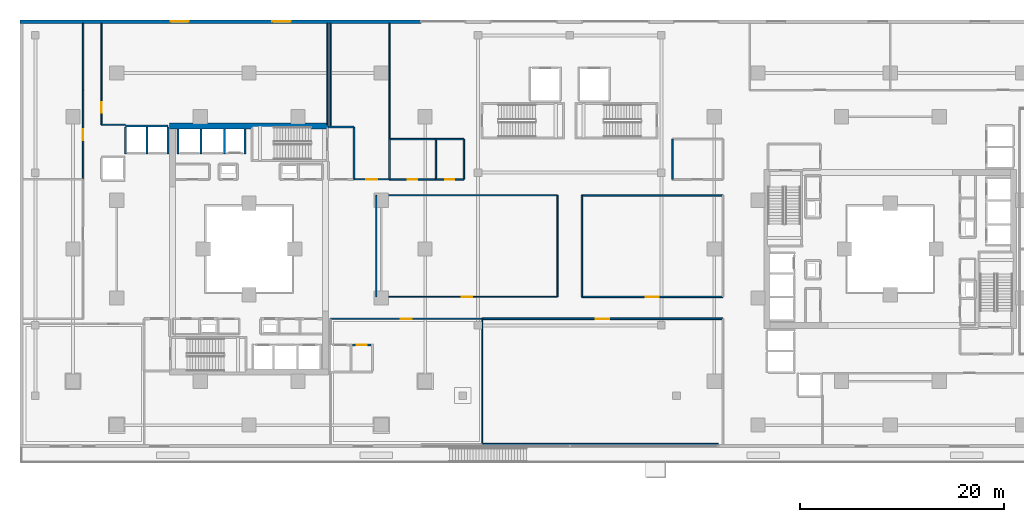
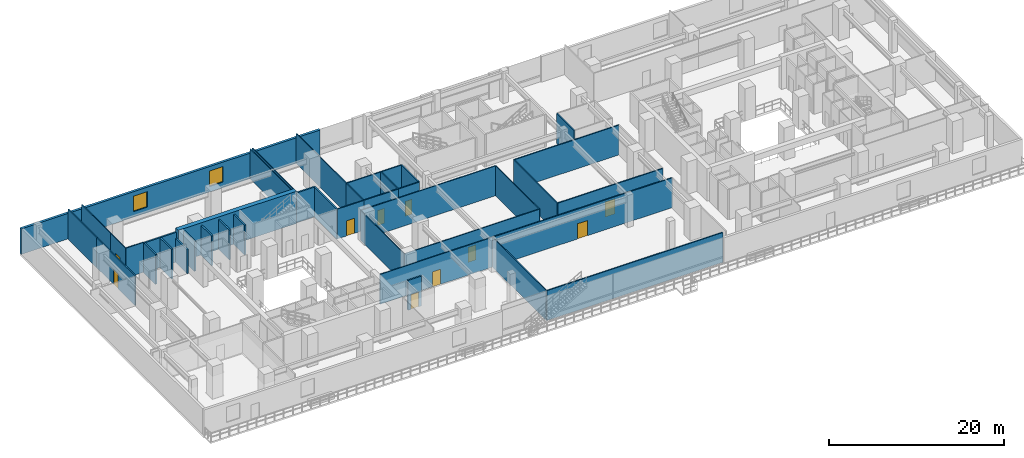
# One storey, part 15 of 25: 41 walls, 10 doors, 2 windows, 12 openings.
"""IFC4 building model written with IfcOpenShell, lengths in metres."""

from ifc_helpers import new_model, si_unit, direction, frame, frame_2d, origin, place, context, subcontext, project, spatial, rectangle, extrude, material, layer, layer_set, type_object, element, fill, save


model = new_model("IFC4")

# Units and contexts
model_context = context("Model", 3, precision=1e-05, world=origin(), true_north=direction((0.0, 1.0)))
body_context = subcontext(model_context, "Body", "Model", "MODEL_VIEW")
ifc_project = project(units=[si_unit("LENGTHUNIT", "METRE"), si_unit("AREAUNIT", "SQUARE_METRE"), si_unit("VOLUMEUNIT", "CUBIC_METRE"), si_unit("PLANEANGLEUNIT", "RADIAN"), si_unit("MASSUNIT", "GRAM", prefix="KILO")], contexts=[model_context])

# Site, building, storey
site_placement = place(None, origin())
site = spatial("IfcSite", under=ifc_project, at=site_placement, CompositionType="ELEMENT")
building_placement = place(site_placement, origin())
building = spatial("IfcBuilding", under=site, at=building_placement, Name="Thornwick Lancets Civic Towers", CompositionType="ELEMENT")
storey_placement = place(building_placement, frame((0.0, 0.0, 9.60009765625)))
storey = spatial("IfcBuildingStorey", under=building, at=storey_placement, Name="L02", CompositionType="ELEMENT", Elevation=9.60009765625)

# Wall, opening, door
ifc_material_1 = material(Name="Concrete blockwork C40/50", Category="masonry")
ifc_layer_1 = layer(ifc_material_1, 0.199951171875, Name="Concrete blockwork C40/50")
ifc_layer_set_1 = layer_set([ifc_layer_1], Name="Concrete blockwork C40/50")
wall_type_1 = type_object("IfcWallType", Name="WALL_COMP_200", PredefinedType="STANDARD", material=ifc_layer_set_1)
wall_1_placement = place(storey_placement, frame((35.679931640625, 17.550048828125, 0.0), z_axis=(0.0, 0.0, 1.0), x_axis=(1.0, 0.0, 0.0)))
wall_1 = element("IfcWall", 1, at=wall_1_placement, inside=storey, type_object=wall_type_1, Name="L02 Hoistway Front Wall PL-AL3", PredefinedType="STANDARD", context=body_context, shape_type="SweptSolid", body=[
    extrude(rectangle(XDim=1.7900390625, YDim=0.199951171875, at=frame_2d((0.89501953125, 0.0))), origin(), (0.0, 0.0, 1.0), 4.159912109375),
])
opening_1_placement = place(wall_1_placement, frame((0.385009765625, 0.0, 0.0)))
opening_1 = element("IfcOpeningElement", 2, at=opening_1_placement, cuts=wall_1, Name="Opening LD-PL-AL3", PredefinedType="OPENING", context=body_context, shape_type="SweptSolid", body=[
    extrude(rectangle(XDim=1.02001953125, YDim=2.06005859375, at=frame_2d((0.510009765625, 1.030029296875))), frame((0.0, 0.10986328125, 0.0), z_axis=(0.0, -1.0, 0.0), x_axis=(1.0, 0.0, 0.0)), (0.0, 0.0, 1.0), 0.219970703125),
])
ifc_material_2 = material(Name="Brushed bronze stainless steel", Category="steel")
door_type_1 = type_object("IfcDoorType", Name="DOOR_LIFT_SLIDE", OperationType="SLIDING_TO_LEFT", PredefinedType="DOOR", material=ifc_material_2)
door_1_placement = place(opening_1_placement, origin())
door_1 = element("IfcDoor", 3, at=door_1_placement, inside=storey, type_object=door_type_1, Name="L02 Sliding Lift Landing Door LD-PL-AL3", OperationType="SLIDING_TO_LEFT", OverallHeight=2.06005859375, OverallWidth=1.02001953125, PredefinedType="DOOR", context=body_context, shape_type="SweptSolid", body=[
    extrude(rectangle(XDim=1.02001953125, YDim=2.06005859375, at=frame_2d((0.510009765625, 1.030029296875))), frame((0.0, 0.02490234375, 0.0), z_axis=(0.0, -1.0, 0.0), x_axis=(1.0, 0.0, 0.0)), (0.0, 0.0, 1.0), 0.050048828125),
])
fill(opening_1, door_1)

# Walls
for number, where, z_axis, x_axis, name in (
    (4, (25.10009765625, 36.35205078125, 0.0), (0.0, 0.0, 1.0), (0.0, 1.0, 0.0), "L02 Hoistway Shaft Wall FL-A2 E"),
    (5, (23.10009765625, 36.35205078125, 0.0), (0.0, 0.0, 1.0), (0.0, 1.0, 0.0), "L02 Hoistway Shaft Wall FL-A2 W"),
    (6, (20.77490234375, 36.35205078125, 0.0), (0.0, 0.0, 1.0), (0.0, 1.0, 0.0), "L02 Hoistway Shaft Wall PL-AH2 W"),
    (7, (18.5, 36.35205078125, 0.0), (0.0, 0.0, 1.0), (0.0, 1.0, 0.0), "L02 Hoistway Shaft Wall PL-AH3 W"),
):
    element("IfcWall", number, at=place(storey_placement, frame(where, z_axis=z_axis, x_axis=x_axis)), inside=storey, type_object=wall_type_1, Name=name, PredefinedType="STANDARD", context=body_context, shape_type="SweptSolid", body=[
        extrude(rectangle(XDim=2.43603515625, YDim=0.199951171875, at=frame_2d((1.218017578125, 0.0))), origin(), (0.0, 0.0, 1.0), 4.159912109375),
    ])
wall_2_placement = place(storey_placement, frame((13.35205078125, 39.10009765625, 0.0), z_axis=(0.0, 0.0, 1.0), x_axis=(1.0, 0.0, 0.0)))
element("IfcWall", 8, at=wall_2_placement, inside=storey, type_object=wall_type_1, Name="L02 Hoistway Shaft Wall PL-AM1 N", PredefinedType="STANDARD", context=body_context, shape_type="SweptSolid", body=[
    extrude(rectangle(XDim=4.196044921875, YDim=0.199951171875, at=frame_2d((2.09814453125, 0.0))), origin(), (0.0, 0.0, 1.0), 4.159912109375),
])
wall_3_placement = place(storey_placement, frame((17.550048828125, 36.35205078125, 0.0), z_axis=(0.0, 0.0, 1.0), x_axis=(0.0, 1.0, 0.0)))
element("IfcWall", 9, at=wall_3_placement, inside=storey, type_object=wall_type_1, Name="L02 Hoistway Shaft Wall PL-AM1 E", PredefinedType="STANDARD", context=body_context, shape_type="SweptSolid", body=[
    extrude(rectangle(XDim=2.635986328125, YDim=0.199951171875, at=frame_2d((1.31787109375, 0.0))), origin(), (0.0, 0.0, 1.0), 3.364990234375),
])
for number, where, z_axis, x_axis, name in (
    (10, (15.47509765625, 36.35205078125, 0.0), (0.0, 0.0, 1.0), (0.0, 1.0, 0.0), "L02 Hoistway Shaft Wall PL-AM1 W"),
    (11, (13.35009765625, 36.35205078125, 0.0), (0.0, 0.0, 1.0), (0.0, 1.0, 0.0), "L02 Hoistway Shaft Wall PL-AM2 W"),
):
    element("IfcWall", number, at=place(storey_placement, frame(where, z_axis=z_axis, x_axis=x_axis)), inside=storey, type_object=wall_type_1, Name=name, PredefinedType="STANDARD", context=body_context, shape_type="SweptSolid", body=[
        extrude(rectangle(XDim=2.635986328125, YDim=0.199951171875, at=frame_2d((1.31787109375, 0.0))), origin(), (0.0, 0.0, 1.0), 4.159912109375),
    ])
wall_4_placement = place(storey_placement, frame((35.800048828125, 33.85009765625, 0.0), z_axis=(0.0, 0.0, 1.0), x_axis=(0.0, 1.0, 0.0)))
element("IfcWall", 12, at=wall_4_placement, inside=storey, type_object=wall_type_1, Name="L02 Partition L02-A-FFLOB2 E2", PredefinedType="STANDARD", context=body_context, shape_type="SweptSolid", body=[
    extrude(rectangle(XDim=5.14990234375, YDim=0.199951171875, at=frame_2d((2.574951171875, 0.0))), origin(), (0.0, 0.0, 1.0), 4.159912109375),
])
wall_5_placement = place(storey_placement, frame((35.800048828125, 39.0, 0.0), z_axis=(0.0, 0.0, 1.0), x_axis=(-1.0, 0.0, 0.0)))
element("IfcWall", 13, at=wall_5_placement, inside=storey, type_object=wall_type_1, Name="L02 Partition L02-A-FFLOB2 E3", PredefinedType="STANDARD", context=body_context, shape_type="SweptSolid", body=[
    extrude(rectangle(XDim=2.5, YDim=0.199951171875, at=frame_2d((1.25, 0.0))), origin(), (0.0, 0.0, 1.0), 4.159912109375),
])
ifc_material_3 = material(Name="Concrete C60/75", Category="concrete")
ifc_layer_2 = layer(ifc_material_3, 0.60009765625, Name="Concrete C60/75")
ifc_layer_set_2 = layer_set([ifc_layer_2], Name="Concrete C60/75")
wall_type_2 = type_object("IfcWallType", Name="WALL_CORE_600", PredefinedType="SHEAR", material=ifc_layer_set_2)
wall_6_placement = place(storey_placement, frame((17.699951171875, 39.10009765625, 0.0), z_axis=(0.0, 0.0, 1.0), x_axis=(1.0, 0.0, 0.0)))
element("IfcWall", 14, at=wall_6_placement, inside=storey, type_object=wall_type_2, Name="L02 Split Core A2 Shear Wall N", PredefinedType="SHEAR", context=body_context, shape_type="SweptSolid", body=[
    extrude(rectangle(XDim=15.60009765625, YDim=0.60009765625, at=frame_2d((7.800048828125, 0.0))), origin(), (0.0, 0.0, 1.0), 4.5),
])

# Wall, openings, windows
ifc_material_4 = material(Name="Insulated buff terracotta rainscreen on concrete C40/50", Category="masonry")
ifc_layer_3 = layer(ifc_material_4, 0.320068359375, Name="Insulated buff terracotta rainscreen on concrete C40/50")
ifc_layer_set_3 = layer_set([ifc_layer_3], Name="Insulated buff terracotta rainscreen on concrete C40/50")
wall_type_3 = type_object("IfcWallType", Name="WALL_EXT_TERRA_320", PredefinedType="STANDARD", material=ifc_layer_set_3)
wall_7_placement = place(storey_placement, frame((42.39990234375, 49.340087890625, 0.0), z_axis=(0.0, 0.0, 1.0), x_axis=(-1.0, 0.0, 0.0)))
wall_7 = element("IfcWall", 15, at=wall_7_placement, inside=storey, type_object=wall_type_3, Name="L02 Podium North-West Facade Wall", PredefinedType="STANDARD", context=body_context, shape_type="SweptSolid", body=[
    extrude(rectangle(XDim=39.39990234375, YDim=0.320068359375, at=frame_2d((19.699951171875, 0.0))), origin(), (0.0, 0.0, 1.0), 3.559814453125),
])
opening_2_placement = place(wall_7_placement, frame((12.800048828125, 0.0, 0.780029296875)))
opening_2 = element("IfcOpeningElement", 16, at=opening_2_placement, cuts=wall_7, Name="Opening WP-18", PredefinedType="OPENING", context=body_context, shape_type="SweptSolid", body=[
    extrude(rectangle(XDim=1.800048828125, YDim=2.14990234375, at=frame_2d((0.89990234375, 1.074951171875))), frame((0.0, 0.169921875, 0.0), z_axis=(0.0, -1.0, 0.0), x_axis=(1.0, 0.0, 0.0)), (0.0, 0.0, 1.0), 0.340087890625),
])
opening_3_placement = place(wall_7_placement, frame((22.800048828125, 0.0, 0.780029296875)))
opening_3 = element("IfcOpeningElement", 17, at=opening_3_placement, cuts=wall_7, Name="Opening WP-18", PredefinedType="OPENING", context=body_context, shape_type="SweptSolid", body=[
    extrude(rectangle(XDim=1.800048828125, YDim=2.14990234375, at=frame_2d((0.89990234375, 1.074951171875))), frame((0.0, 0.169921875, 0.0), z_axis=(0.0, -1.0, 0.0), x_axis=(1.0, 0.0, 0.0)), (0.0, 0.0, 1.0), 0.340087890625),
])
ifc_material_5 = material(Name="Pointed lancet clear glass window", Category="glass")
window_type = type_object("IfcWindowType", Name="WIN_PODIUM_1800", PartitioningType="SINGLE_PANEL", PredefinedType="WINDOW", material=ifc_material_5)
window_1_placement = place(opening_2_placement, origin())
window_1 = element("IfcWindow", 18, at=window_1_placement, inside=storey, type_object=window_type, Name="L02 Podium Lancet Window 2", OverallHeight=2.14990234375, OverallWidth=1.800048828125, PartitioningType="SINGLE_PANEL", PredefinedType="WINDOW", context=body_context, shape_type="SweptSolid", body=[
    extrude(rectangle(XDim=1.800048828125, YDim=2.14990234375, at=frame_2d((0.89990234375, 1.074951171875))), frame((0.0, 0.030029296875, 0.0), z_axis=(0.0, -1.0, 0.0), x_axis=(1.0, 0.0, 0.0)), (0.0, 0.0, 1.0), 0.06005859375),
])
fill(opening_2, window_1)
window_2_placement = place(opening_3_placement, origin())
window_2 = element("IfcWindow", 19, at=window_2_placement, inside=storey, type_object=window_type, Name="L02 Podium Lancet Window 3", OverallHeight=2.14990234375, OverallWidth=1.800048828125, PartitioningType="SINGLE_PANEL", PredefinedType="WINDOW", context=body_context, shape_type="SweptSolid", body=[
    extrude(rectangle(XDim=1.800048828125, YDim=2.14990234375, at=frame_2d((0.89990234375, 1.074951171875))), frame((0.0, 0.030029296875, 0.0), z_axis=(0.0, -1.0, 0.0), x_axis=(1.0, 0.0, 0.0)), (0.0, 0.0, 1.0), 0.06005859375),
])
fill(opening_3, window_2)

# Wall, opening, door
ifc_material_6 = material(Name="Acoustic gypsum board partition")
ifc_layer_4 = layer(ifc_material_6, 0.1201171875, Name="Acoustic gypsum board partition")
ifc_layer_set_4 = layer_set([ifc_layer_4], Name="Acoustic gypsum board partition")
wall_type_4 = type_object("IfcWallType", Name="WALL_PART_120", PredefinedType="PARTITIONING", material=ifc_layer_set_4)
wall_8_placement = place(storey_placement, frame((33.5, 20.14990234375, 0.0), z_axis=(0.0, 0.0, 1.0), x_axis=(1.0, 0.0, 0.0)))
wall_8 = element("IfcWall", 20, at=wall_8_placement, inside=storey, type_object=wall_type_4, Name="L02 Partition L02-RECEP E3", PredefinedType="PARTITIONING", context=body_context, shape_type="SweptSolid", body=[
    extrude(rectangle(XDim=14.89990234375, YDim=0.1201171875, at=frame_2d((7.449951171875, 0.0))), origin(), (0.0, 0.0, 1.0), 4.159912109375),
])
opening_4_placement = place(wall_8_placement, frame((6.925048828125, 0.0, 0.0)))
opening_4 = element("IfcOpeningElement", 21, at=opening_4_placement, cuts=wall_8, Name="Opening D-L02-0166", PredefinedType="OPENING", context=body_context, shape_type="SweptSolid", body=[
    extrude(rectangle(XDim=1.050048828125, YDim=2.10009765625, at=frame_2d((0.52490234375, 1.050048828125))), frame((0.0, 0.070068359375, 0.0), z_axis=(0.0, -1.0, 0.0), x_axis=(1.0, 0.0, 0.0)), (0.0, 0.0, 1.0), 0.14013671875),
])
ifc_material_7 = material(Name="Glazed European oak executive doorset")
door_type_2 = type_object("IfcDoorType", Name="DOOR_OFFICE_1050", OperationType="NOTDEFINED", PredefinedType="DOOR", material=ifc_material_7)
door_2_placement = place(opening_4_placement, origin())
door_2 = element("IfcDoor", 22, at=door_2_placement, inside=storey, type_object=door_type_2, Name="L02 Terrace Reception Foyer Door", OperationType="SINGLE_SWING_LEFT", OverallHeight=2.10009765625, OverallWidth=1.050048828125, PredefinedType="DOOR", context=body_context, shape_type="SweptSolid", body=[
    extrude(rectangle(XDim=1.050048828125, YDim=2.10009765625, at=frame_2d((0.52490234375, 1.050048828125))), frame((0.0, 0.02490234375, 0.0), z_axis=(0.0, -1.0, 0.0), x_axis=(1.0, 0.0, 0.0)), (0.0, 0.0, 1.0), 0.050048828125),
])
fill(opening_4, door_2)

# Wall
wall_9_placement = place(storey_placement, frame((48.39990234375, 20.14990234375, 0.0), z_axis=(0.0, 0.0, 1.0), x_axis=(0.0, -1.0, 0.0)))
element("IfcWall", 23, at=wall_9_placement, inside=storey, type_object=wall_type_4, Name="L02 Partition L02-RECEP E4", PredefinedType="PARTITIONING", context=body_context, shape_type="SweptSolid", body=[
    extrude(rectangle(XDim=12.329833984375, YDim=0.1201171875, at=frame_2d((6.1650390625, 0.0))), origin(), (0.0, 0.0, 1.0), 4.159912109375),
])

# Wall, opening, door
wall_10_placement = place(storey_placement, frame((55.800048828125, 22.300048828125, 0.0), z_axis=(0.0, 0.0, 1.0), x_axis=(-1.0, 0.0, 0.0)))
wall_10 = element("IfcWall", 24, at=wall_10_placement, inside=storey, type_object=wall_type_4, Name="L02 Partition L02-CSW E1", PredefinedType="PARTITIONING", context=body_context, shape_type="SweptSolid", body=[
    extrude(rectangle(XDim=17.800048828125, YDim=0.1201171875, at=frame_2d((8.89990234375, 0.0))), origin(), (0.0, 0.0, 1.0), 4.159912109375),
])
opening_5_placement = place(wall_10_placement, frame((8.375, 0.0, 0.0)))
opening_5 = element("IfcOpeningElement", 25, at=opening_5_placement, cuts=wall_10, Name="Opening D-L02-0171", PredefinedType="OPENING", context=body_context, shape_type="SweptSolid", body=[
    extrude(rectangle(XDim=1.050048828125, YDim=2.10009765625, at=frame_2d((0.52490234375, 1.050048828125))), frame((0.0, 0.070068359375, 0.0), z_axis=(0.0, -1.0, 0.0), x_axis=(1.0, 0.0, 0.0)), (0.0, 0.0, 1.0), 0.14013671875),
])
door_3_placement = place(opening_5_placement, origin())
door_3 = element("IfcDoor", 26, at=door_3_placement, inside=storey, type_object=door_type_2, Name="L02 Central Casework Directorate Door", OperationType="SINGLE_SWING_RIGHT", OverallHeight=2.10009765625, OverallWidth=1.050048828125, PredefinedType="DOOR", context=body_context, shape_type="SweptSolid", body=[
    extrude(rectangle(XDim=1.050048828125, YDim=2.10009765625, at=frame_2d((0.52490234375, 1.050048828125))), frame((0.0, 0.02490234375, 0.0), z_axis=(0.0, -1.0, 0.0), x_axis=(1.0, 0.0, 0.0)), (0.0, 0.0, 1.0), 0.050048828125),
])
fill(opening_5, door_3)

# Walls
wall_11_placement = place(storey_placement, frame((38.0, 22.300048828125, 0.0), z_axis=(0.0, 0.0, 1.0), x_axis=(0.0, 1.0, 0.0)))
element("IfcWall", 27, at=wall_11_placement, inside=storey, type_object=wall_type_4, Name="L02 Partition L02-CSW E2", PredefinedType="PARTITIONING", context=body_context, shape_type="SweptSolid", body=[
    extrude(rectangle(XDim=9.97998046875, YDim=0.1201171875, at=frame_2d((4.989990234375, 0.0))), origin(), (0.0, 0.0, 1.0), 4.159912109375),
])
wall_12_placement = place(storey_placement, frame((38.0, 32.280029296875, 0.0), z_axis=(0.0, 0.0, 1.0), x_axis=(1.0, 0.0, 0.0)))
element("IfcWall", 28, at=wall_12_placement, inside=storey, type_object=wall_type_4, Name="L02 Partition L02-CSW E3", PredefinedType="PARTITIONING", context=body_context, shape_type="SweptSolid", body=[
    extrude(rectangle(XDim=17.800048828125, YDim=0.1201171875, at=frame_2d((8.89990234375, 0.0))), origin(), (0.0, 0.0, 1.0), 4.159912109375),
])
wall_13_placement = place(storey_placement, frame((55.800048828125, 32.280029296875, 0.0), z_axis=(0.0, 0.0, 1.0), x_axis=(0.0, -1.0, 0.0)))
element("IfcWall", 29, at=wall_13_placement, inside=storey, type_object=wall_type_4, Name="L02 Partition L02-CSW E4", PredefinedType="PARTITIONING", context=body_context, shape_type="SweptSolid", body=[
    extrude(rectangle(XDim=9.97998046875, YDim=0.1201171875, at=frame_2d((4.989990234375, 0.0))), origin(), (0.0, 0.0, 1.0), 4.159912109375),
])
wall_14_placement = place(storey_placement, frame((33.5, 39.0, 0.0), z_axis=(0.0, 0.0, 1.0), x_axis=(0.0, 1.0, 0.0)))
element("IfcWall", 30, at=wall_14_placement, inside=storey, type_object=wall_type_4, Name="L02 Partition L02-LIB E3", PredefinedType="PARTITIONING", context=body_context, shape_type="SweptSolid", body=[
    extrude(rectangle(XDim=10.179931640625, YDim=0.1201171875, at=frame_2d((5.08984375, 0.0))), origin(), (0.0, 0.0, 1.0), 4.159912109375),
])
wall_15_placement = place(storey_placement, frame((39.300048828125, 49.179931640625, 0.0), z_axis=(0.0, 0.0, 1.0), x_axis=(0.0, -1.0, 0.0)))
element("IfcWall", 31, at=wall_15_placement, inside=storey, type_object=wall_type_4, Name="L02 Partition L02-LIB E5", PredefinedType="PARTITIONING", context=body_context, shape_type="SweptSolid", body=[
    extrude(rectangle(XDim=11.3798828125, YDim=0.1201171875, at=frame_2d((5.68994140625, 0.0))), origin(), (0.0, 0.0, 1.0), 4.159912109375),
])

# Wall, opening, door
wall_16_placement = place(storey_placement, frame((39.300048828125, 33.85009765625, 0.0), z_axis=(0.0, 0.0, 1.0), x_axis=(-1.0, 0.0, 0.0)))
wall_16 = element("IfcWall", 32, at=wall_16_placement, inside=storey, type_object=wall_type_4, Name="L02 Partition L02-LIB E7", PredefinedType="PARTITIONING", context=body_context, shape_type="SweptSolid", body=[
    extrude(rectangle(XDim=3.5, YDim=0.1201171875, at=frame_2d((1.75, 0.0))), origin(), (0.0, 0.0, 1.0), 4.159912109375),
])
opening_6_placement = place(wall_16_placement, frame((1.22509765625, 0.0, 0.0)))
opening_6 = element("IfcOpeningElement", 33, at=opening_6_placement, cuts=wall_16, Name="Opening D-L02-0174", PredefinedType="OPENING", context=body_context, shape_type="SweptSolid", body=[
    extrude(rectangle(XDim=1.050048828125, YDim=2.10009765625, at=frame_2d((0.52490234375, 1.050048828125))), frame((0.0, 0.070068359375, 0.0), z_axis=(0.0, -1.0, 0.0), x_axis=(1.0, 0.0, 0.0)), (0.0, 0.0, 1.0), 0.14013671875),
])
door_4_placement = place(opening_6_placement, origin())
door_4 = element("IfcDoor", 34, at=door_4_placement, inside=storey, type_object=door_type_2, Name="L02 Civic Reference Library and Training Door", OperationType="SINGLE_SWING_LEFT", OverallHeight=2.10009765625, OverallWidth=1.050048828125, PredefinedType="DOOR", context=body_context, shape_type="SweptSolid", body=[
    extrude(rectangle(XDim=1.050048828125, YDim=2.10009765625, at=frame_2d((0.52490234375, 1.050048828125))), frame((0.0, 0.02490234375, 0.0), z_axis=(0.0, -1.0, 0.0), x_axis=(1.0, 0.0, 0.0)), (0.0, 0.0, 1.0), 0.050048828125),
])
fill(opening_6, door_4)

# Walls
wall_17_placement = place(storey_placement, frame((33.199951171875, 49.179931640625, 0.0), z_axis=(0.0, 0.0, 1.0), x_axis=(0.0, -1.0, 0.0)))
element("IfcWall", 35, at=wall_17_placement, inside=storey, type_object=wall_type_4, Name="L02 Partition L02-NWR E2", PredefinedType="PARTITIONING", context=body_context, shape_type="SweptSolid", body=[
    extrude(rectangle(XDim=9.97998046875, YDim=0.1201171875, at=frame_2d((4.989990234375, 0.0))), origin(), (0.0, 0.0, 1.0), 4.159912109375),
])
wall_18_placement = place(storey_placement, frame((13.35205078125, 39.199951171875, 0.0), z_axis=(0.0, 0.0, 1.0), x_axis=(-1.0, 0.0, 0.0)))
element("IfcWall", 36, at=wall_18_placement, inside=storey, type_object=wall_type_4, Name="L02 Partition L02-NWR E3", PredefinedType="PARTITIONING", context=body_context, shape_type="SweptSolid", body=[
    extrude(rectangle(XDim=2.35205078125, YDim=0.1201171875, at=frame_2d((1.176025390625, 0.0))), origin(), (0.0, 0.0, 1.0), 4.159912109375),
])

# Wall, opening, door
wall_19_placement = place(storey_placement, frame((11.0, 39.199951171875, 0.0), z_axis=(0.0, 0.0, 1.0), x_axis=(0.0, 1.0, 0.0)))
wall_19 = element("IfcWall", 37, at=wall_19_placement, inside=storey, type_object=wall_type_4, Name="L02 Partition L02-NWR E4", PredefinedType="PARTITIONING", context=body_context, shape_type="SweptSolid", body=[
    extrude(rectangle(XDim=3.400146484375, YDim=0.1201171875, at=frame_2d((1.7001953125, 0.0))), origin(), (0.0, 0.0, 1.0), 4.159912109375),
])
opening_7_placement = place(wall_19_placement, frame((1.175048828125, 0.0, 0.0)))
opening_7 = element("IfcOpeningElement", 38, at=opening_7_placement, cuts=wall_19, Name="Opening D-L02-0178", PredefinedType="OPENING", context=body_context, shape_type="SweptSolid", body=[
    extrude(rectangle(XDim=1.050048828125, YDim=2.10009765625, at=frame_2d((0.52490234375, 1.050048828125))), frame((0.0, 0.070068359375, 0.0), z_axis=(0.0, -1.0, 0.0), x_axis=(1.0, 0.0, 0.0)), (0.0, 0.0, 1.0), 0.14013671875),
])
door_5_placement = place(opening_7_placement, origin())
door_5 = element("IfcDoor", 39, at=door_5_placement, inside=storey, type_object=door_type_2, Name="L02 North-West Terrace Study Hall Door", OperationType="SINGLE_SWING_LEFT", OverallHeight=2.10009765625, OverallWidth=1.050048828125, PredefinedType="DOOR", context=body_context, shape_type="SweptSolid", body=[
    extrude(rectangle(XDim=1.050048828125, YDim=2.10009765625, at=frame_2d((0.52490234375, 1.050048828125))), frame((0.0, 0.02490234375, 0.0), z_axis=(0.0, -1.0, 0.0), x_axis=(1.0, 0.0, 0.0)), (0.0, 0.0, 1.0), 0.050048828125),
])
fill(opening_7, door_5)

# Wall
wall_20_placement = place(storey_placement, frame((11.0, 42.60009765625, 0.0), z_axis=(0.0, 0.0, 1.0), x_axis=(0.0, 1.0, 0.0)))
element("IfcWall", 40, at=wall_20_placement, inside=storey, type_object=wall_type_4, Name="L02 Partition L02-NWR E5", PredefinedType="PARTITIONING", context=body_context, shape_type="SweptSolid", body=[
    extrude(rectangle(XDim=6.579833984375, YDim=0.1201171875, at=frame_2d((3.2900390625, 0.0))), origin(), (0.0, 0.0, 1.0), 4.159912109375),
])

# Wall, opening, door
ifc_material_8 = material(Name="Twin-stud acoustic gypsum board")
ifc_layer_5 = layer(ifc_material_8, 0.14990234375, Name="Twin-stud acoustic gypsum board")
ifc_layer_set_5 = layer_set([ifc_layer_5], Name="Twin-stud acoustic gypsum board")
wall_type_5 = type_object("IfcWallType", Name="WALL_PART_150", PredefinedType="PARTITIONING", material=ifc_layer_set_5)
wall_21_placement = place(storey_placement, frame((39.300048828125, 33.85009765625, 0.0), z_axis=(0.0, 0.0, 1.0), x_axis=(1.0, 0.0, 0.0)))
wall_21 = element("IfcWall", 41, at=wall_21_placement, inside=storey, type_object=wall_type_5, Name="L02 Partition L02-POD-MWC E1", PredefinedType="PARTITIONING", context=body_context, shape_type="SweptSolid", body=[
    extrude(rectangle(XDim=4.550048828125, YDim=0.14990234375, at=frame_2d((2.27490234375, 0.0))), origin(), (0.0, 0.0, 1.0), 4.159912109375),
])
opening_8_placement = place(wall_21_placement, frame((1.81494140625, 0.0, 0.0)))
opening_8 = element("IfcOpeningElement", 42, at=opening_8_placement, cuts=wall_21, Name="Opening D-L02-0162", PredefinedType="OPENING", context=body_context, shape_type="SweptSolid", body=[
    extrude(rectangle(XDim=0.919921875, YDim=2.080078125, at=frame_2d((0.4599609375, 1.0400390625))), frame((0.0, 0.0849609375, 0.0), z_axis=(0.0, -1.0, 0.0), x_axis=(1.0, 0.0, 0.0)), (0.0, 0.0, 1.0), 0.169921875),
])
ifc_material_9 = material(Name="Moisture-resistant oak doorset")
door_type_3 = type_object("IfcDoorType", Name="DOOR_WC_900", OperationType="NOTDEFINED", PredefinedType="DOOR", material=ifc_material_9)
door_6_placement = place(opening_8_placement, origin())
door_6 = element("IfcDoor", 43, at=door_6_placement, inside=storey, type_object=door_type_3, Name="L02 Podium Public Male WC Door", OperationType="SINGLE_SWING_LEFT", OverallHeight=2.080078125, OverallWidth=0.919921875, PredefinedType="DOOR", context=body_context, shape_type="SweptSolid", body=[
    extrude(rectangle(XDim=0.919921875, YDim=2.080078125, at=frame_2d((0.4599609375, 1.0400390625))), frame((0.0, 0.02490234375, 0.0), z_axis=(0.0, -1.0, 0.0), x_axis=(1.0, 0.0, 0.0)), (0.0, 0.0, 1.0), 0.050048828125),
])
fill(opening_8, door_6)

# Walls
wall_22_placement = place(storey_placement, frame((43.85009765625, 33.85009765625, 0.0), z_axis=(0.0, 0.0, 1.0), x_axis=(0.0, 1.0, 0.0)))
element("IfcWall", 44, at=wall_22_placement, inside=storey, type_object=wall_type_5, Name="L02 Partition L02-POD-MWC E2", PredefinedType="PARTITIONING", context=body_context, shape_type="SweptSolid", body=[
    extrude(rectangle(XDim=3.949951171875, YDim=0.14990234375, at=frame_2d((1.97509765625, 0.0))), origin(), (0.0, 0.0, 1.0), 4.159912109375),
])
wall_23_placement = place(storey_placement, frame((43.85009765625, 37.800048828125, 0.0), z_axis=(0.0, 0.0, 1.0), x_axis=(-1.0, 0.0, 0.0)))
element("IfcWall", 45, at=wall_23_placement, inside=storey, type_object=wall_type_5, Name="L02 Partition L02-POD-MWC E3", PredefinedType="PARTITIONING", context=body_context, shape_type="SweptSolid", body=[
    extrude(rectangle(XDim=4.550048828125, YDim=0.14990234375, at=frame_2d((2.27490234375, 0.0))), origin(), (0.0, 0.0, 1.0), 4.159912109375),
])
for number, where, z_axis, x_axis, name in (
    (46, (39.300048828125, 37.800048828125, 0.0), (0.0, 0.0, 1.0), (0.0, -1.0, 0.0), "L02 Partition L02-POD-MWC E4"),
    (47, (67.10009765625, 37.800048828125, 0.0), (0.0, 0.0, 1.0), (0.0, -1.0, 0.0), "L02 Partition L02-POD-FWC E4"),
    (48, (46.60009765625, 37.800048828125, 0.0), (0.0, 0.0, 1.0), (0.0, -1.0, 0.0), "L02 Partition L02-POD-AWC E1"),
):
    element("IfcWall", number, at=place(storey_placement, frame(where, z_axis=z_axis, x_axis=x_axis)), inside=storey, type_object=wall_type_5, Name=name, PredefinedType="PARTITIONING", context=body_context, shape_type="SweptSolid", body=[
        extrude(rectangle(XDim=3.949951171875, YDim=0.14990234375, at=frame_2d((1.97509765625, 0.0))), origin(), (0.0, 0.0, 1.0), 4.159912109375),
    ])

# Wall, opening, door
wall_24_placement = place(storey_placement, frame((46.60009765625, 33.85009765625, 0.0), z_axis=(0.0, 0.0, 1.0), x_axis=(-1.0, 0.0, 0.0)))
wall_24 = element("IfcWall", 49, at=wall_24_placement, inside=storey, type_object=wall_type_5, Name="L02 Partition L02-POD-AWC E2", PredefinedType="PARTITIONING", context=body_context, shape_type="SweptSolid", body=[
    extrude(rectangle(XDim=2.75, YDim=0.14990234375, at=frame_2d((1.375, 0.0))), origin(), (0.0, 0.0, 1.0), 4.159912109375),
])
opening_9_placement = place(wall_24_placement, frame((0.9150390625, 0.0, 0.0)))
opening_9 = element("IfcOpeningElement", 50, at=opening_9_placement, cuts=wall_24, Name="Opening D-L02-0164", PredefinedType="OPENING", context=body_context, shape_type="SweptSolid", body=[
    extrude(rectangle(XDim=0.919921875, YDim=2.080078125, at=frame_2d((0.4599609375, 1.0400390625))), frame((0.0, 0.0849609375, 0.0), z_axis=(0.0, -1.0, 0.0), x_axis=(1.0, 0.0, 0.0)), (0.0, 0.0, 1.0), 0.169921875),
])
door_7_placement = place(opening_9_placement, origin())
door_7 = element("IfcDoor", 51, at=door_7_placement, inside=storey, type_object=door_type_3, Name="L02 Podium Accessible WC Door", OperationType="SINGLE_SWING_LEFT", OverallHeight=2.080078125, OverallWidth=0.919921875, PredefinedType="DOOR", context=body_context, shape_type="SweptSolid", body=[
    extrude(rectangle(XDim=0.919921875, YDim=2.080078125, at=frame_2d((0.4599609375, 1.0400390625))), frame((0.0, 0.02490234375, 0.0), z_axis=(0.0, -1.0, 0.0), x_axis=(1.0, 0.0, 0.0)), (0.0, 0.0, 1.0), 0.050048828125),
])
fill(opening_9, door_7)

# Walls
wall_25_placement = place(storey_placement, frame((43.85009765625, 37.800048828125, 0.0), z_axis=(0.0, 0.0, 1.0), x_axis=(1.0, 0.0, 0.0)))
element("IfcWall", 52, at=wall_25_placement, inside=storey, type_object=wall_type_5, Name="L02 Partition L02-POD-AWC E4", PredefinedType="PARTITIONING", context=body_context, shape_type="SweptSolid", body=[
    extrude(rectangle(XDim=2.75, YDim=0.14990234375, at=frame_2d((1.375, 0.0))), origin(), (0.0, 0.0, 1.0), 4.159912109375),
])
wall_26_placement = place(storey_placement, frame((71.60009765625, 7.820068359375, 0.0), z_axis=(0.0, 0.0, 1.0), x_axis=(-1.0, 0.0, 0.0)))
element("IfcWall", 53, at=wall_26_placement, inside=storey, type_object=wall_type_5, Name="L02 Partition L02-TRIB E1", PredefinedType="PARTITIONING", context=body_context, shape_type="SweptSolid", body=[
    extrude(rectangle(XDim=23.2001953125, YDim=0.14990234375, at=frame_2d((11.60009765625, 0.0))), origin(), (0.0, 0.0, 1.0), 4.159912109375),
])

# Wall, opening, door
wall_27_placement = place(storey_placement, frame((48.39990234375, 20.14990234375, 0.0), z_axis=(0.0, 0.0, 1.0), x_axis=(1.0, 0.0, 0.0)))
wall_27 = element("IfcWall", 54, at=wall_27_placement, inside=storey, type_object=wall_type_5, Name="L02 Partition L02-TRIB E3", PredefinedType="PARTITIONING", context=body_context, shape_type="SweptSolid", body=[
    extrude(rectangle(XDim=23.650146484375, YDim=0.14990234375, at=frame_2d((11.8251953125, 0.0))), origin(), (0.0, 0.0, 1.0), 4.159912109375),
])
opening_10_placement = place(wall_27_placement, frame((11.175048828125, 0.0, 0.0)))
opening_10 = element("IfcOpeningElement", 55, at=opening_10_placement, cuts=wall_27, Name="Opening D-L02-0167", PredefinedType="OPENING", context=body_context, shape_type="SweptSolid", body=[
    extrude(rectangle(XDim=1.300048828125, YDim=2.1201171875, at=frame_2d((0.64990234375, 1.06005859375))), frame((0.0, 0.0849609375, 0.0), z_axis=(0.0, -1.0, 0.0), x_axis=(1.0, 0.0, 0.0)), (0.0, 0.0, 1.0), 0.169921875),
])
ifc_material_10 = material(Name="Acoustic oak leaf-and-a-half doorset")
door_type_4 = type_object("IfcDoorType", Name="DOOR_MEET_1300", OperationType="DOUBLE_DOOR_SINGLE_SWING", PredefinedType="DOOR", material=ifc_material_10)
door_8_placement = place(opening_10_placement, origin())
door_8 = element("IfcDoor", 56, at=door_8_placement, inside=storey, type_object=door_type_4, Name="L02 Administrative Tribunal Hearing Hall Door", OperationType="DOUBLE_DOOR_SINGLE_SWING", OverallHeight=2.1201171875, OverallWidth=1.300048828125, PredefinedType="DOOR", context=body_context, shape_type="SweptSolid", body=[
    extrude(rectangle(XDim=1.300048828125, YDim=2.1201171875, at=frame_2d((0.64990234375, 1.06005859375))), frame((0.0, 0.02490234375, 0.0), z_axis=(0.0, -1.0, 0.0), x_axis=(1.0, 0.0, 0.0)), (0.0, 0.0, 1.0), 0.050048828125),
])
fill(opening_10, door_8)

wall_28_placement = place(storey_placement, frame((72.050048828125, 22.300048828125, 0.0), z_axis=(0.0, 0.0, 1.0), x_axis=(-1.0, 0.0, 0.0)))
wall_28 = element("IfcWall", 57, at=wall_28_placement, inside=storey, type_object=wall_type_5, Name="L02 Partition L02-CSE E1", PredefinedType="PARTITIONING", context=body_context, shape_type="SweptSolid", body=[
    extrude(rectangle(XDim=13.85009765625, YDim=0.14990234375, at=frame_2d((6.925048828125, 0.0))), origin(), (0.0, 0.0, 1.0), 4.159912109375),
])
opening_11_placement = place(wall_28_placement, frame((6.27490234375, 0.0, 0.0)))
opening_11 = element("IfcOpeningElement", 58, at=opening_11_placement, cuts=wall_28, Name="Opening D-L02-0172", PredefinedType="OPENING", context=body_context, shape_type="SweptSolid", body=[
    extrude(rectangle(XDim=1.300048828125, YDim=2.1201171875, at=frame_2d((0.64990234375, 1.06005859375))), frame((0.0, 0.0849609375, 0.0), z_axis=(0.0, -1.0, 0.0), x_axis=(1.0, 0.0, 0.0)), (0.0, 0.0, 1.0), 0.169921875),
])
door_9_placement = place(opening_11_placement, origin())
door_9 = element("IfcDoor", 59, at=door_9_placement, inside=storey, type_object=door_type_4, Name="L02 Statutory Adjudication Chambers Door", OperationType="DOUBLE_DOOR_SINGLE_SWING", OverallHeight=2.1201171875, OverallWidth=1.300048828125, PredefinedType="DOOR", context=body_context, shape_type="SweptSolid", body=[
    extrude(rectangle(XDim=1.300048828125, YDim=2.1201171875, at=frame_2d((0.64990234375, 1.06005859375))), frame((0.0, 0.02490234375, 0.0), z_axis=(0.0, -1.0, 0.0), x_axis=(1.0, 0.0, 0.0)), (0.0, 0.0, 1.0), 0.050048828125),
])
fill(opening_11, door_9)

# Walls
wall_29_placement = place(storey_placement, frame((58.199951171875, 22.300048828125, 0.0), z_axis=(0.0, 0.0, 1.0), x_axis=(0.0, 1.0, 0.0)))
element("IfcWall", 60, at=wall_29_placement, inside=storey, type_object=wall_type_5, Name="L02 Partition L02-CSE E2", PredefinedType="PARTITIONING", context=body_context, shape_type="SweptSolid", body=[
    extrude(rectangle(XDim=9.97998046875, YDim=0.14990234375, at=frame_2d((4.989990234375, 0.0))), origin(), (0.0, 0.0, 1.0), 4.159912109375),
])
wall_30_placement = place(storey_placement, frame((58.199951171875, 32.280029296875, 0.0), z_axis=(0.0, 0.0, 1.0), x_axis=(1.0, 0.0, 0.0)))
element("IfcWall", 61, at=wall_30_placement, inside=storey, type_object=wall_type_5, Name="L02 Partition L02-CSE E3", PredefinedType="PARTITIONING", context=body_context, shape_type="SweptSolid", body=[
    extrude(rectangle(XDim=13.85009765625, YDim=0.14990234375, at=frame_2d((6.925048828125, 0.0))), origin(), (0.0, 0.0, 1.0), 4.159912109375),
])
wall_31_placement = place(storey_placement, frame((9.199951171875, 49.179931640625, 0.0), z_axis=(0.0, 0.0, 1.0), x_axis=(0.0, -1.0, 0.0)))
element("IfcWall", 62, at=wall_31_placement, inside=storey, type_object=wall_type_5, Name="L02 Partition L02-REC E3", PredefinedType="PARTITIONING", context=body_context, shape_type="SweptSolid", body=[
    extrude(rectangle(XDim=6.579833984375, YDim=0.14990234375, at=frame_2d((3.2900390625, 0.0))), origin(), (0.0, 0.0, 1.0), 4.159912109375),
])

# Wall, opening, door
wall_32_placement = place(storey_placement, frame((9.199951171875, 42.60009765625, 0.0), z_axis=(0.0, 0.0, 1.0), x_axis=(0.0, -1.0, 0.0)))
wall_32 = element("IfcWall", 63, at=wall_32_placement, inside=storey, type_object=wall_type_5, Name="L02 Partition L02-REC E4", PredefinedType="PARTITIONING", context=body_context, shape_type="SweptSolid", body=[
    extrude(rectangle(XDim=8.75, YDim=0.14990234375, at=frame_2d((4.375, 0.0))), origin(), (0.0, 0.0, 1.0), 4.159912109375),
])
opening_12_placement = place(wall_32_placement, frame((3.85009765625, 0.0, 0.0)))
opening_12 = element("IfcOpeningElement", 64, at=opening_12_placement, cuts=wall_32, Name="Opening D-L02-0173", PredefinedType="OPENING", context=body_context, shape_type="SweptSolid", body=[
    extrude(rectangle(XDim=1.050048828125, YDim=2.10009765625, at=frame_2d((0.52490234375, 1.050048828125))), frame((0.0, 0.0849609375, 0.0), z_axis=(0.0, -1.0, 0.0), x_axis=(1.0, 0.0, 0.0)), (0.0, 0.0, 1.0), 0.169921875),
])
door_10_placement = place(opening_12_placement, origin())
door_10 = element("IfcDoor", 65, at=door_10_placement, inside=storey, type_object=door_type_2, Name="L02 Departmental Records Archive Door", OperationType="SINGLE_SWING_RIGHT", OverallHeight=2.10009765625, OverallWidth=1.050048828125, PredefinedType="DOOR", context=body_context, shape_type="SweptSolid", body=[
    extrude(rectangle(XDim=1.050048828125, YDim=2.10009765625, at=frame_2d((0.52490234375, 1.050048828125))), frame((0.0, 0.02490234375, 0.0), z_axis=(0.0, -1.0, 0.0), x_axis=(1.0, 0.0, 0.0)), (0.0, 0.0, 1.0), 0.050048828125),
])
fill(opening_12, door_10)

save(model, "model.ifc")
